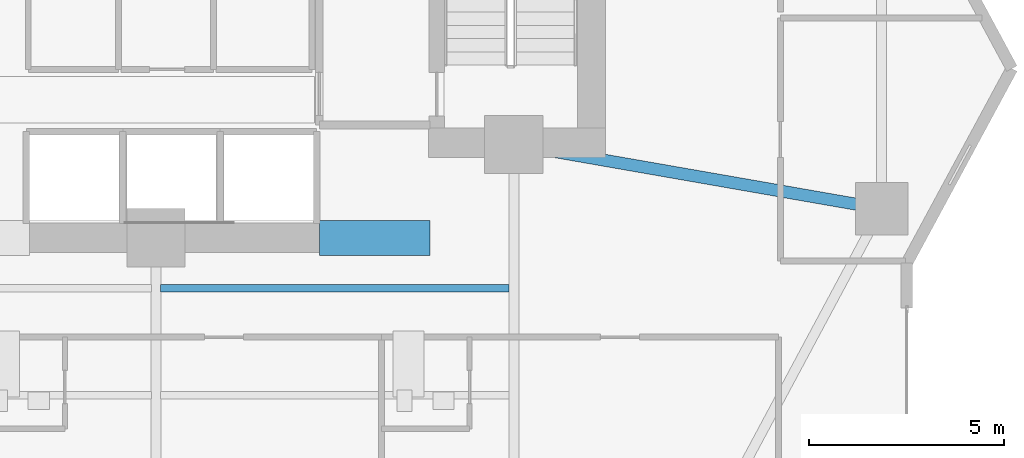
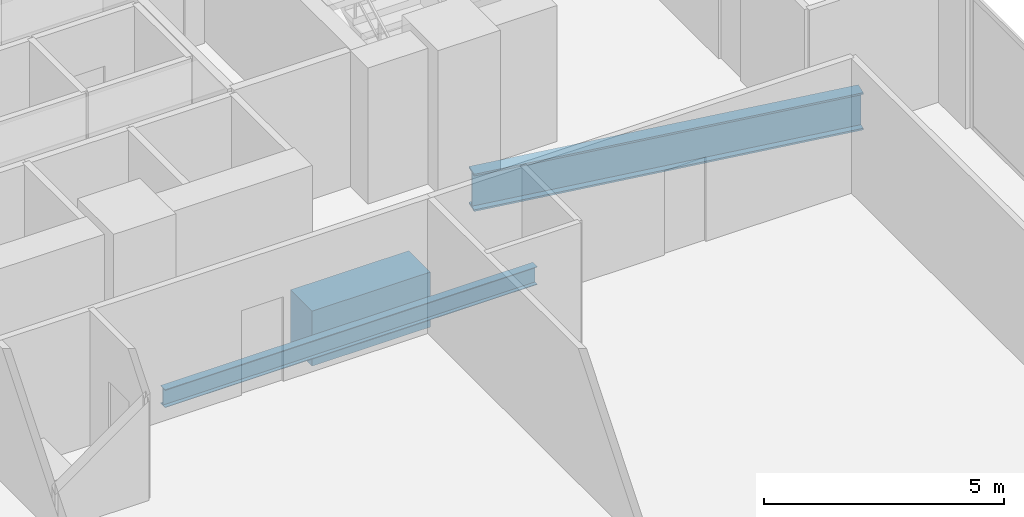
# One storey, part 12 of 30: 3 beams.
"""IFC4 building model written with IfcOpenShell, lengths in metres."""

from ifc_helpers import new_model, si_unit, direction, frame, origin, origin_2d, place, context, subcontext, project, spatial, rectangle, i_section, extrude, material, material_profile, profile_set, type_object, element, save


model = new_model("IFC4")

# Units and contexts
model_context = context("Model", 3, precision=1e-05, world=origin(), true_north=direction((0.0, 1.0)))
body_context = subcontext(model_context, "Body", "Model", "MODEL_VIEW")
ifc_project = project(units=[si_unit("LENGTHUNIT", "METRE"), si_unit("AREAUNIT", "SQUARE_METRE"), si_unit("VOLUMEUNIT", "CUBIC_METRE"), si_unit("PLANEANGLEUNIT", "RADIAN"), si_unit("MASSUNIT", "GRAM", prefix="KILO")], contexts=[model_context])

# Site, building, storey
site_placement = place(None, origin())
site = spatial("IfcSite", under=ifc_project, at=site_placement, CompositionType="ELEMENT")
building_placement = place(site_placement, origin())
building = spatial("IfcBuilding", under=site, at=building_placement, Name="Zuhayl Quay Hotel", CompositionType="ELEMENT")
storey_placement = place(building_placement, frame((0.0, 0.0, 128.5)))
storey = spatial("IfcBuildingStorey", under=building, at=storey_placement, Name="L32", CompositionType="ELEMENT", Elevation=128.5)

# Beams
ifc_material_1 = material(Name="Concrete C60/75", Category="concrete")
ifc_material_profile_1 = material_profile(ifc_material_1, rectangle(XDim=0.89990234375, YDim=1.39990234375, at=origin_2d()), Name="RC900X1400")
ifc_profile_set_1 = profile_set([ifc_material_profile_1], Name="Concrete C60/75")
beam_type_1 = type_object("IfcBeamType", Name="BM_CB1_RC900", PredefinedType="T_BEAM", material=ifc_profile_set_1)
beam_1_placement = place(storey_placement, frame((8.800048828125, 2.14990234375, -0.919921875), z_axis=(1.0, 0.0, 0.0), x_axis=(0.0, 1.0, 0.0)))
element("IfcBeam", 1, at=beam_1_placement, inside=storey, type_object=beam_type_1, Name="L32 Core Coupling Beam SE", PredefinedType="T_BEAM", context=body_context, shape_type="SweptSolid", body=[
    extrude(rectangle(XDim=0.89990234375, YDim=1.39990234375, at=origin_2d()), origin(), (0.0, 0.0, 1.0), 2.849853515625),
])
ifc_material_2 = material(Name="Steel ASTM A992 Grade 50", Category="steel")
ifc_material_profile_2 = material_profile(ifc_material_2, i_section(OverallWidth=0.18994140625, OverallDepth=0.45703125, WebThickness=0.009033203125, FlangeThickness=0.014404296875, at=origin_2d()), Name="W18X50")
ifc_profile_set_2 = profile_set([ifc_material_profile_2], Name="Steel ASTM A992 Grade 50")
beam_type_2 = type_object("IfcBeamType", Name="BM_J2_W18X50", PredefinedType="JOIST", material=ifc_profile_set_2)
beam_2_placement = place(storey_placement, frame((4.718994140625, 0.85009765625, -0.448486328125), z_axis=(1.0, 0.0, 0.0), x_axis=(0.0, 1.0, 0.0)))
element("IfcBeam", 2, at=beam_2_placement, inside=storey, type_object=beam_type_2, Name="L32 Floor Beam FJ_L32_9_3", PredefinedType="JOIST", context=body_context, shape_type="SweptSolid", body=[
    extrude(i_section(OverallWidth=0.18994140625, OverallDepth=0.45703125, WebThickness=0.009033203125, FlangeThickness=0.014404296875, at=origin_2d()), origin(), (0.0, 0.0, 1.0), 8.9619140625),
])
ifc_material_profile_3 = material_profile(ifc_material_2, i_section(OverallWidth=0.31005859375, OverallDepth=0.949951171875, WebThickness=0.0244140625, FlangeThickness=0.0439453125, at=origin_2d()), Name="W36X256")
ifc_profile_set_3 = profile_set([ifc_material_profile_3], Name="Steel ASTM A992 Grade 50")
beam_type_3 = type_object("IfcBeamType", Name="BM_PG1_W36X256", PredefinedType="BEAM", material=ifc_profile_set_3)
beam_3_placement = place(storey_placement, frame((14.243408203125, 4.47265625, -0.695068359375), z_axis=(0.985097302632, -0.171997977741, 0.0), x_axis=(0.171997977741, 0.985097302632, 0.0)))
element("IfcBeam", 3, at=beam_3_placement, inside=storey, type_object=beam_type_3, Name="L32 Floor Beam FG_E_L32_1", PredefinedType="BEAM", context=body_context, shape_type="SweptSolid", body=[
    extrude(i_section(OverallWidth=0.31005859375, OverallDepth=0.949951171875, WebThickness=0.0244140625, FlangeThickness=0.0439453125, at=origin_2d()), origin(), (0.0, 0.0, 1.0), 8.64306640625),
])

save(model, "model.ifc")
